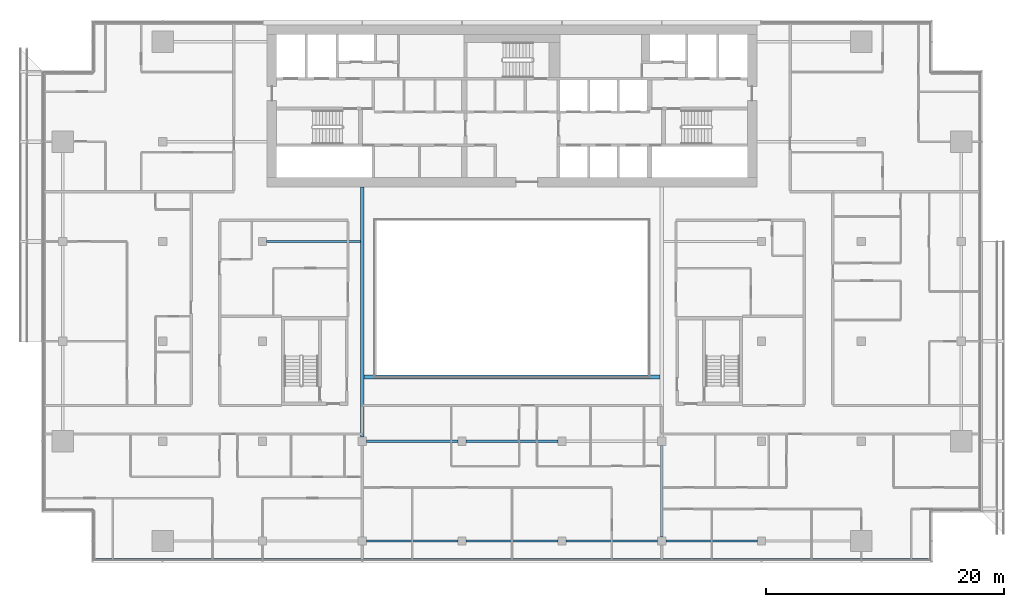
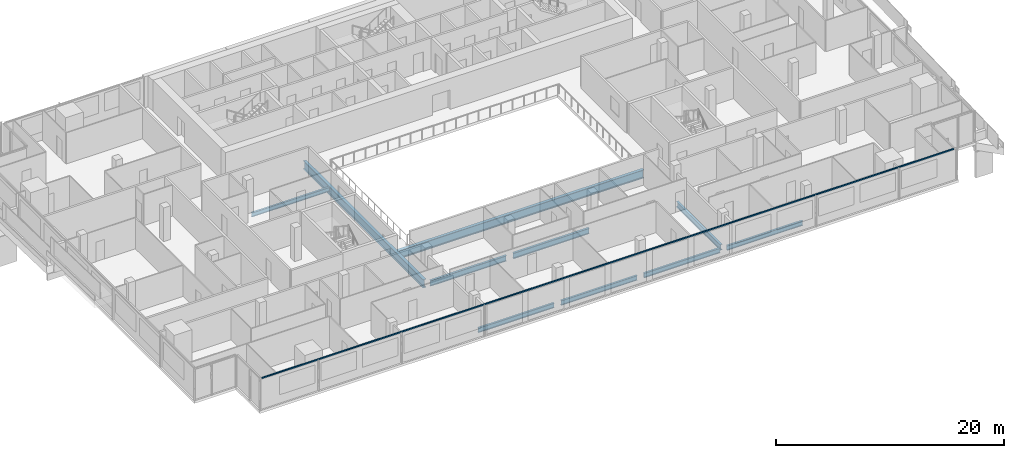
# One storey, part 5 of 27: 10 beams, 1 member, 1 element without a shape of its own.
"""IFC4 building model written with IfcOpenShell, lengths in metres."""

import ifcopenshell
import ifcopenshell.guid

model = None  # the IFC model being written
_history = None  # IfcOwnerHistory: only IFC2X3 demands one
_inside = {}  # id of a spatial element -> (the spatial element, [elements in it])
_under = {}  # id of a project, library or spatial element -> (it, [spatial elements below it])
_declared = {}  # id of a project -> (the project, [libraries it declares])
_typed = {}  # id of a type object -> (the type object, [elements of that type])
_made_of = {}  # id of a material, layer set ... -> (it, [elements and type objects made of it])


def new_model(schema):
    """Start an empty IFC model of exactly this schema.

    Asked for "IFC4X3", IfcOpenShell would pick the latest addendum, in which some entities
    have other attributes; the version numbers below select the first issue.
    IFC2X3 requires an IfcOwnerHistory on every rooted entity: one is made here for all.
    """
    global model, _history
    if schema == "IFC4X3":
        model = ifcopenshell.file(schema_version=(4, 3, 0, 0))
    else:
        model = ifcopenshell.file(schema=schema)
    _inside.clear()
    _under.clear()
    _declared.clear()
    _typed.clear()
    _made_of.clear()
    _history = None
    if model.schema == "IFC2X3":
        org = make("IfcOrganization", Name="unknown")
        user = make(
            "IfcPersonAndOrganization",
            ThePerson=make("IfcPerson", FamilyName="unknown"),
            TheOrganization=org,
        )
        app = make(
            "IfcApplication",
            ApplicationDeveloper=org,
            Version="unknown",
            ApplicationFullName="unknown",
            ApplicationIdentifier="unknown",
        )
        _history = make(
            "IfcOwnerHistory",
            OwningUser=user,
            OwningApplication=app,
            ChangeAction="ADDED",
            CreationDate=0,
        )
    return model


def make(cls, **values):
    """One entity of the class cls with the attributes given. An attribute that is None is left unset."""
    return model.create_entity(
        cls, **{name: value for name, value in values.items() if value is not None}
    )


def rooted(cls, **values):
    """An entity with a GlobalId (a new one), such as an element, a storey or a relation."""
    return make(cls, GlobalId=ifcopenshell.guid.new(), OwnerHistory=_history, **values)


def si_unit(unit_type, name, prefix=None):
    """IfcSIUnit, for example si_unit("LENGTHUNIT", "METRE", prefix="MILLI")."""
    return make("IfcSIUnit", UnitType=unit_type, Prefix=prefix, Name=name)


def assignment(units):
    """IfcUnitAssignment: the units of a project."""
    return None if units is None else make("IfcUnitAssignment", Units=units)


def point(xyz):
    """IfcCartesianPoint."""
    return None if xyz is None else make("IfcCartesianPoint", Coordinates=xyz)


def direction(xyz):
    """IfcDirection."""
    return None if xyz is None else make("IfcDirection", DirectionRatios=xyz)


def frame(location, z_axis=None, x_axis=None):
    """IfcAxis2Placement3D, a coordinate frame: its origin and axes. An axis left out is left unset."""
    return make(
        "IfcAxis2Placement3D",
        Location=point(location),
        Axis=direction(z_axis),
        RefDirection=direction(x_axis),
    )


def frame_2d(location, x_axis=None):
    """IfcAxis2Placement2D, a coordinate frame in the plane: its origin and x axis."""
    return make(
        "IfcAxis2Placement2D", Location=point(location), RefDirection=direction(x_axis)
    )


def origin():
    """The frame at (0, 0, 0) with its axes left unset."""
    return frame((0.0, 0.0, 0.0))


def origin_2d():
    """The frame at (0, 0) in the plane with its x axis left unset."""
    return frame_2d((0.0, 0.0))


def place(relative_to, where):
    """IfcLocalPlacement: puts the frame where relative to a parent placement (None: the world)."""
    return make(
        "IfcLocalPlacement", PlacementRelTo=relative_to, RelativePlacement=where
    )


def context(
    kind, dimensions, precision=None, world=None, true_north=None, identifier=None
):
    """IfcGeometricRepresentationContext, for example the 3D "Model" context."""
    return make(
        "IfcGeometricRepresentationContext",
        ContextIdentifier=identifier,
        ContextType=kind,
        CoordinateSpaceDimension=dimensions,
        Precision=precision,
        WorldCoordinateSystem=world,
        TrueNorth=true_north,
    )


def subcontext(parent, identifier, kind, view, scale=None):
    """IfcGeometricRepresentationSubContext, for example "Body" below "Model"."""
    return make(
        "IfcGeometricRepresentationSubContext",
        ContextIdentifier=identifier,
        ContextType=kind,
        ParentContext=parent,
        TargetScale=scale,
        TargetView=view,
    )


def project(units=None, contexts=None):
    """IfcProject with its units and contexts."""
    return rooted(
        "IfcProject",
        Name="project",
        RepresentationContexts=contexts,
        UnitsInContext=assignment(units),
    )


def spatial(cls, under=None, at=None, **own):
    """A site, building, storey or space (cls), placed at a placement, below another one or the project."""
    s = rooted(cls, ObjectPlacement=at, **own)
    if under is not None:
        _under.setdefault(under.id(), (under, []))[1].append(s)
    return s


def profile(cls, at=None, kind="AREA", **sizes):
    """A parametric profile (cls). Its sizes go by their IFC names, for example OverallWidth=200.0."""
    return make(cls, ProfileType=kind, Position=at, **sizes)


def rectangle(**sizes):
    """IfcRectangleProfileDef."""
    return profile("IfcRectangleProfileDef", **sizes)


def i_section(**sizes):
    """IfcIShapeProfileDef."""
    return profile("IfcIShapeProfileDef", **sizes)


def extrude(swept, where, along, depth):
    """IfcExtrudedAreaSolid: the profile swept, set in the frame where, extruded along a direction by depth."""
    return make(
        "IfcExtrudedAreaSolid",
        SweptArea=swept,
        Position=where,
        ExtrudedDirection=direction(along),
        Depth=depth,
    )


def shape(context_of_items, identifier, shape_type, items):
    """IfcShapeRepresentation: the items that make up one representation, for example the "Body"."""
    return make(
        "IfcShapeRepresentation",
        ContextOfItems=context_of_items,
        RepresentationIdentifier=identifier,
        RepresentationType=shape_type,
        Items=items,
    )


def material(Name=None, Category=None):
    """IfcMaterial."""
    return make("IfcMaterial", Name=Name, Category=Category)


def material_profile(
    of_material, cross_section, Name=None, Category=None, Priority=None
):
    """IfcMaterialProfile: a cross section and its material."""
    return make(
        "IfcMaterialProfile",
        Name=Name,
        Material=of_material,
        Profile=cross_section,
        Priority=Priority,
        Category=Category,
    )


def profile_set(profiles, Name=None, composite=None):
    """IfcMaterialProfileSet."""
    return make(
        "IfcMaterialProfileSet",
        Name=Name,
        MaterialProfiles=profiles,
        CompositeProfile=composite,
    )


def made_of(thing, what):
    """Note that an element or type object is made of a material, layer set ...; save() writes the relation."""
    if what is not None:
        _made_of.setdefault(what.id(), (what, []))[1].append(thing)
    return thing


def type_object(cls, material=None, **own):
    """A type object (cls), such as IfcWallType, which elements share."""
    return made_of(rooted(cls, **own), material)


def element(
    cls,
    number,
    at=None,
    inside=None,
    cuts=None,
    type_object=None,
    material=None,
    context=None,
    identifier="Body",
    shape_type=None,
    held_by="IfcProductDefinitionShape",
    body=None,
    shapes=None,
    **own,
):
    """One element of the class cls, such as IfcWall. Its Tag is "e" and its number.

    at: its placement. inside: the storey or other place that contains it. cuts: it is an
    opening in that element (IfcRelVoidsElement). A single representation is given by context,
    identifier, shape_type and body (its items); several are given by shapes. held_by: the class
    of the entity that holds the representations. save() writes the other relations.
    """
    e = rooted(cls, Tag="e%d" % number, ObjectPlacement=at, **own)
    if body is not None:
        shapes = [shape(context, identifier, shape_type, body)]
    if shapes is not None:
        e.Representation = make(held_by, Representations=shapes)
    if inside is not None:
        _inside.setdefault(inside.id(), (inside, []))[1].append(e)
    if cuts is not None:
        rooted(
            "IfcRelVoidsElement", RelatingBuildingElement=cuts, RelatedOpeningElement=e
        )
    if type_object is not None:
        _typed.setdefault(type_object.id(), (type_object, []))[1].append(e)
    return made_of(e, material)


def aggregate(whole, parts):
    """IfcRelAggregates: a whole, such as a stair, and the parts it consists of."""
    return rooted("IfcRelAggregates", RelatingObject=whole, RelatedObjects=parts)


def save(model, path):
    """Write the relations noted so far, then the file.

    IfcRelAggregates (storeys below a building ...), IfcRelContainedInSpatialStructure (elements
    in a storey), IfcRelDefinesByType, IfcRelAssociatesMaterial and IfcRelDeclares: one each for
    every whole, place, type object, material and project.
    """
    for whole, parts in _under.values():
        aggregate(whole, parts)
    for where, things in _inside.values():
        rooted(
            "IfcRelContainedInSpatialStructure",
            RelatedElements=things,
            RelatingStructure=where,
        )
    for kind, things in _typed.values():
        rooted("IfcRelDefinesByType", RelatedObjects=things, RelatingType=kind)
    for what, things in _made_of.values():
        rooted("IfcRelAssociatesMaterial", RelatedObjects=things, RelatingMaterial=what)
    for by, libraries in _declared.values():
        rooted("IfcRelDeclares", RelatingContext=by, RelatedDefinitions=libraries)
    model.write(path)


model = new_model("IFC4")

# Units and contexts
model_context = context("Model", 3, precision=1e-05, world=origin(), true_north=direction((0.0, 1.0)))
body_context = subcontext(model_context, "Body", "Model", "MODEL_VIEW")
ifc_project = project(units=[si_unit("LENGTHUNIT", "METRE"), si_unit("AREAUNIT", "SQUARE_METRE"), si_unit("VOLUMEUNIT", "CUBIC_METRE"), si_unit("PLANEANGLEUNIT", "RADIAN"), si_unit("MASSUNIT", "GRAM", prefix="KILO")], contexts=[model_context])

# Site, building, storey
site_placement = place(None, origin())
site = spatial("IfcSite", under=ifc_project, at=site_placement, CompositionType="ELEMENT")
building_placement = place(site_placement, origin())
building = spatial("IfcBuilding", under=site, at=building_placement, Name="Saffron Gate Tower", CompositionType="ELEMENT")
storey_placement = place(building_placement, frame((0.0, 0.0, 183.449951171875)))
storey = spatial("IfcBuildingStorey", under=building, at=storey_placement, Name="L45", CompositionType="ELEMENT", Elevation=183.449951171875)

# Beams
ifc_material_1 = material(Name="Structural steel S355", Category="steel")
ifc_material_profile_1 = material_profile(ifc_material_1, i_section(OverallWidth=0.199951171875, OverallDepth=0.5, WebThickness=0.01025390625, FlangeThickness=0.01611328125, FilletRadius=0.02099609375, at=origin_2d()))
ifc_profile_set_1 = profile_set([ifc_material_profile_1], Name="Structural steel S355")
beam_type_1 = type_object("IfcBeamType", Name="B11 IPE 500", PredefinedType="SPANDREL", material=ifc_profile_set_1)
for number, where, z_axis, x_axis, name in (
    (1, (75.35009765625, 31.800048828125, -0.530029296875), (1.0, 0.0, 0.0), (0.0, 1.0, 0.0), "B11 SPANDREL BEAM"),
    (2, (83.75, 31.800048828125, -0.530029296875), (1.0, 0.0, 0.0), (0.0, 1.0, 0.0), "B11 SPANDREL BEAM"),
):
    element("IfcBeam", number, at=place(storey_placement, frame(where, z_axis=z_axis, x_axis=x_axis)), inside=storey, type_object=beam_type_1, Name=name, PredefinedType="SPANDREL", context=body_context, shape_type="SweptSolid", body=[
        extrude(i_section(OverallWidth=0.199951171875, OverallDepth=0.5, WebThickness=0.01025390625, FlangeThickness=0.01611328125, FilletRadius=0.02099609375, at=origin_2d()), origin(), (0.0, 0.0, 1.0), 7.699951171875),
    ])
beam_1_placement = place(storey_placement, frame((92.14990234375, 31.800048828125, -0.530029296875), z_axis=(1.0, 0.0, 0.0), x_axis=(0.0, 1.0, 0.0)))
element("IfcBeam", 3, at=beam_1_placement, inside=storey, type_object=beam_type_1, Name="B11 SPANDREL BEAM", PredefinedType="SPANDREL", context=body_context, shape_type="SweptSolid", body=[
    extrude(i_section(OverallWidth=0.199951171875, OverallDepth=0.5, WebThickness=0.01025390625, FlangeThickness=0.01611328125, FilletRadius=0.02099609375, at=origin_2d()), origin(), (0.0, 0.0, 1.0), 7.7001953125),
])
beam_2_placement = place(storey_placement, frame((100.550048828125, 31.800048828125, -0.530029296875), z_axis=(1.0, 0.0, 0.0), x_axis=(0.0, 1.0, 0.0)))
element("IfcBeam", 4, at=beam_2_placement, inside=storey, type_object=beam_type_1, Name="B11 SPANDREL BEAM", PredefinedType="SPANDREL", context=body_context, shape_type="SweptSolid", body=[
    extrude(i_section(OverallWidth=0.199951171875, OverallDepth=0.5, WebThickness=0.01025390625, FlangeThickness=0.01611328125, FilletRadius=0.02099609375, at=origin_2d()), origin(), (0.0, 0.0, 1.0), 7.699951171875),
])
ifc_material_profile_2 = material_profile(ifc_material_1, i_section(OverallWidth=0.219970703125, OverallDepth=0.60009765625, WebThickness=0.011962890625, FlangeThickness=0.01904296875, FilletRadius=0.02392578125, at=origin_2d()))
ifc_profile_set_2 = profile_set([ifc_material_profile_2], Name="Structural steel S355")
beam_type_2 = type_object("IfcBeamType", Name="B15 IPE 600", PredefinedType="BEAM", material=ifc_profile_set_2)
beam_3_placement = place(storey_placement, frame((100.199951171875, 32.14990234375, -0.579833984375), z_axis=(0.0, 1.0, 0.0), x_axis=(-1.0, 0.0, 0.0)))
element("IfcBeam", 5, at=beam_3_placement, inside=storey, type_object=beam_type_2, Name="B15 FLOOR GIRDER", PredefinedType="BEAM", context=body_context, shape_type="SweptSolid", body=[
    extrude(i_section(OverallWidth=0.219970703125, OverallDepth=0.60009765625, WebThickness=0.011962890625, FlangeThickness=0.01904296875, FilletRadius=0.02392578125, at=origin_2d()), origin(), (0.0, 0.0, 1.0), 7.7001953125),
])
for number, where, z_axis, x_axis, name in (
    (6, (75.35009765625, 40.199951171875, -0.579833984375), (1.0, 0.0, 0.0), (0.0, 1.0, 0.0), "B15 FLOOR GIRDER"),
    (7, (83.75, 40.199951171875, -0.579833984375), (1.0, 0.0, 0.0), (0.0, 1.0, 0.0), "B15 FLOOR GIRDER"),
):
    element("IfcBeam", number, at=place(storey_placement, frame(where, z_axis=z_axis, x_axis=x_axis)), inside=storey, type_object=beam_type_2, Name=name, PredefinedType="BEAM", context=body_context, shape_type="SweptSolid", body=[
        extrude(i_section(OverallWidth=0.219970703125, OverallDepth=0.60009765625, WebThickness=0.011962890625, FlangeThickness=0.01904296875, FilletRadius=0.02392578125, at=origin_2d()), origin(), (0.0, 0.0, 1.0), 7.699951171875),
    ])
ifc_material_profile_3 = material_profile(ifc_material_1, i_section(OverallWidth=0.300048828125, OverallDepth=0.889892578125, WebThickness=0.01611328125, FlangeThickness=0.030029296875, FilletRadius=0.030029296875, at=origin_2d()))
ifc_profile_set_3 = profile_set([ifc_material_profile_3], Name="Structural steel S355")
beam_type_3 = type_object("IfcBeamType", Name="B19 HEA 900", PredefinedType="BEAM", material=ifc_profile_set_3)
beam_4_placement = place(storey_placement, frame((75.0, 40.550048828125, -0.724853515625), z_axis=(0.0, 1.0, 0.0), x_axis=(-1.0, 0.0, 0.0)))
element("IfcBeam", 8, at=beam_4_placement, inside=storey, type_object=beam_type_3, Name="B19 ATRIUM GIRDER", PredefinedType="BEAM", context=body_context, shape_type="SweptSolid", body=[
    extrude(i_section(OverallWidth=0.300048828125, OverallDepth=0.889892578125, WebThickness=0.01611328125, FlangeThickness=0.030029296875, FilletRadius=0.030029296875, at=origin_2d()), origin(), (0.0, 0.0, 1.0), 21.050048828125),
])
beam_5_placement = place(storey_placement, frame((75.14990234375, 45.60009765625, -0.724853515625), z_axis=(1.0, 0.0, 0.0), x_axis=(0.0, 1.0, 0.0)))
element("IfcBeam", 9, at=beam_5_placement, inside=storey, type_object=beam_type_3, Name="B19 ATRIUM GIRDER", PredefinedType="BEAM", context=body_context, shape_type="SweptSolid", body=[
    extrude(i_section(OverallWidth=0.300048828125, OverallDepth=0.889892578125, WebThickness=0.01611328125, FlangeThickness=0.030029296875, FilletRadius=0.030029296875, at=origin_2d()), origin(), (0.0, 0.0, 1.0), 24.900146484375),
])
ifc_material_profile_4 = material_profile(ifc_material_1, i_section(OverallWidth=0.18994140625, OverallDepth=0.449951171875, WebThickness=0.009521484375, FlangeThickness=0.0146484375, FilletRadius=0.02099609375, at=origin_2d()))
ifc_profile_set_4 = profile_set([ifc_material_profile_4], Name="Structural steel S355")
beam_type_4 = type_object("IfcBeamType", Name="B6 IPE 450", PredefinedType="BEAM", material=ifc_profile_set_4)
beam_6_placement = place(storey_placement, frame((66.949951171875, 57.0, -0.5048828125), z_axis=(1.0, 0.0, 0.0), x_axis=(0.0, 1.0, 0.0)))
element("IfcBeam", 10, at=beam_6_placement, inside=storey, type_object=beam_type_4, Name="B6 CORE TIE BEAM", PredefinedType="BEAM", context=body_context, shape_type="SweptSolid", body=[
    extrude(i_section(OverallWidth=0.18994140625, OverallDepth=0.449951171875, WebThickness=0.009521484375, FlangeThickness=0.0146484375, FilletRadius=0.02099609375, at=origin_2d()), origin(), (0.0, 0.0, 1.0), 7.900146484375),
])

# Curtain wall, member
ifc_material_2 = material(Name="Aluminium, bronze anodised", Category="aluminium")
curtain_wall_type = type_object("IfcCurtainWallType", Name="CWS1 curtain wall front facade", PredefinedType="NOTDEFINED", material=ifc_material_2)
curtain_wall_placement = place(storey_placement, origin())
curtain_wall = element("IfcCurtainWall", 11, at=curtain_wall_placement, inside=storey, type_object=curtain_wall_type, Name="CWS1 run 1", PredefinedType="NOTDEFINED")
ifc_material_profile_5 = material_profile(ifc_material_2, rectangle(XDim=0.1201171875, YDim=0.1201171875, at=origin_2d()))
ifc_profile_set_5 = profile_set([ifc_material_profile_5], Name="Aluminium, bronze anodised")
member_type = type_object("IfcMemberType", Name="CWS1 head transom", PredefinedType="USERDEFINED", material=ifc_profile_set_5)
member_placement = place(storey_placement, frame((52.568115234375, 30.248046875, 3.260009765625), z_axis=(1.0, 0.0, 0.0), x_axis=(0.0, 1.0, 0.0)))
member = element("IfcMember", 12, at=member_placement, type_object=member_type, Name="CWS1 head transom", ObjectType="TRANSOM", PredefinedType="USERDEFINED", context=body_context, shape_type="SweptSolid", body=[
    extrude(rectangle(XDim=0.1201171875, YDim=0.1201171875, at=origin_2d()), origin(), (0.0, 0.0, 1.0), 70.06396484375),
])
aggregate(curtain_wall, [member])

save(model, "model.ifc")
